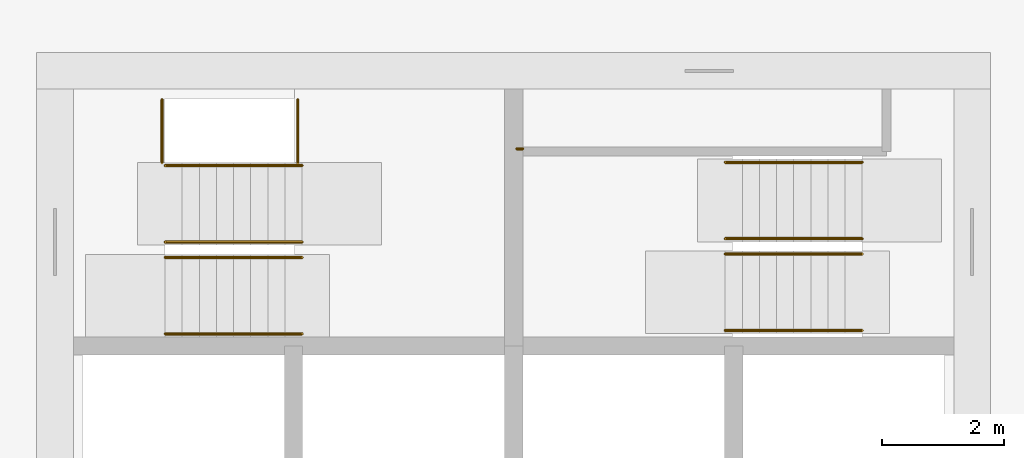
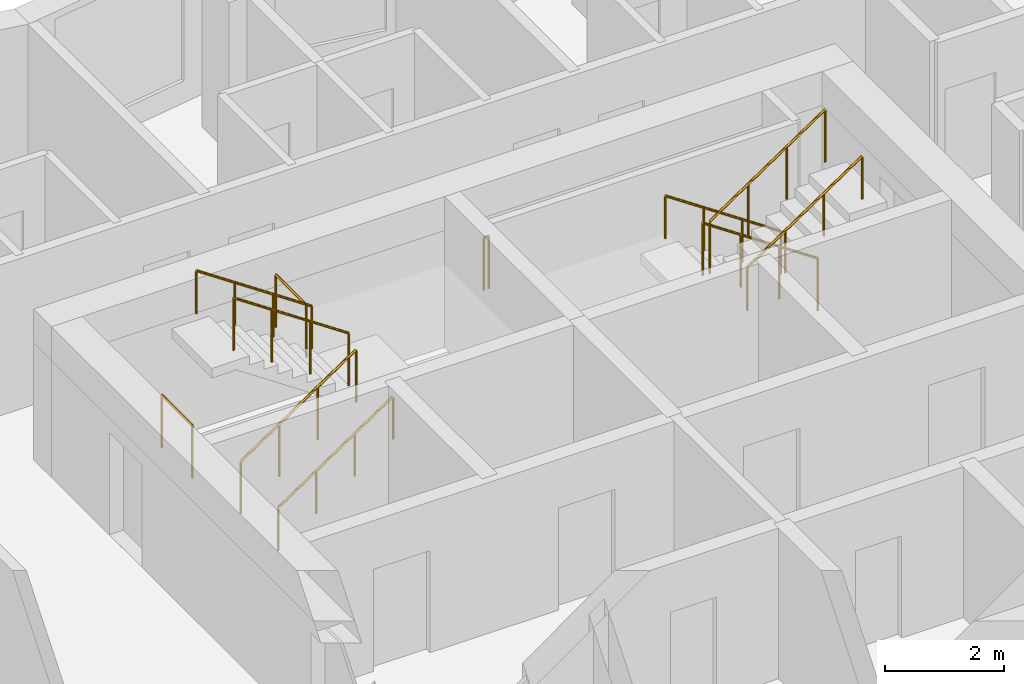
# One storey, part 11 of 12: 11 railings.
"""IFC4 building model written with IfcOpenShell, lengths in metres."""

from ifc_helpers import new_model, si_unit, direction, frame, origin, origin_2d, place, context, subcontext, project, spatial, circle, extrude, material, type_object, element, save


model = new_model("IFC4")

# Units and contexts
model_context = context("Model", 3, precision=1e-05, world=origin(), true_north=direction((0.0, 1.0)))
body_context = subcontext(model_context, "Body", "Model", "MODEL_VIEW")
ifc_project = project(units=[si_unit("LENGTHUNIT", "METRE"), si_unit("AREAUNIT", "SQUARE_METRE"), si_unit("VOLUMEUNIT", "CUBIC_METRE"), si_unit("PLANEANGLEUNIT", "RADIAN"), si_unit("MASSUNIT", "GRAM", prefix="KILO")], contexts=[model_context])

# Site, building, storey
site_placement = place(None, origin())
site = spatial("IfcSite", under=ifc_project, at=site_placement, CompositionType="ELEMENT")
building_placement = place(site_placement, origin())
building = spatial("IfcBuilding", under=site, at=building_placement, Name="Windrow Commons", CompositionType="ELEMENT")
storey_placement = place(building_placement, frame((0.0, 0.0, 169.4)))
storey = spatial("IfcBuildingStorey", under=building, at=storey_placement, Name="L46", CompositionType="ELEMENT", Elevation=169.4)

# Railings
ifc_material_1 = material(Name="Steel S355", Category="steel")
railing_type_1 = type_object("IfcRailingType", Name="Core stair guard 1100", PredefinedType="GUARDRAIL", material=ifc_material_1)
railing_1_placement = place(storey_placement, frame((59.1, 62.05, 0.1889)))
element("IfcRailing", 1, at=railing_1_placement, inside=storey, type_object=railing_type_1, Name="L46 ST-A1 stair guard 1", PredefinedType="GUARDRAIL", context=body_context, shape_type="SweptSolid", body=[
    extrude(circle(Radius=0.024, at=origin_2d()), frame((0.0, 0.0, 1.076), z_axis=(0.8290030985, 0.0, 0.5592440099), x_axis=(0.0, 1.0, 0.0)), (0.0, 0.0, 1.0), 2.702),
    extrude(circle(Radius=0.021, at=origin_2d()), origin(), (0.0, 0.0, 1.0), 1.052),
    extrude(circle(Radius=0.021, at=origin_2d()), frame((0.7467, 0.0, 0.5037)), (0.0, 0.0, 1.0), 1.052),
    extrude(circle(Radius=0.021, at=origin_2d()), frame((1.4933, 0.0, 1.0074)), (0.0, 0.0, 1.0), 1.052),
    extrude(circle(Radius=0.021, at=origin_2d()), frame((2.24, 0.0, 1.5111)), (0.0, 0.0, 1.0), 1.052),
])
railing_2_placement = place(storey_placement, frame((61.34, 62.3, 1.8889)))
element("IfcRailing", 2, at=railing_2_placement, inside=storey, type_object=railing_type_1, Name="L46 ST-A1 stair guard 2", PredefinedType="GUARDRAIL", context=body_context, shape_type="SweptSolid", body=[
    extrude(circle(Radius=0.024, at=origin_2d()), frame((0.0, 0.0, 1.076), z_axis=(-0.8290030985, 0.0, 0.5592440099), x_axis=(0.0, -1.0, 0.0)), (0.0, 0.0, 1.0), 2.702),
    extrude(circle(Radius=0.021, at=origin_2d()), origin(), (0.0, 0.0, 1.0), 1.052),
    extrude(circle(Radius=0.021, at=origin_2d()), frame((-0.7467, 0.0, 0.5037)), (0.0, 0.0, 1.0), 1.052),
    extrude(circle(Radius=0.021, at=origin_2d()), frame((-1.4933, 0.0, 1.0074)), (0.0, 0.0, 1.0), 1.052),
    extrude(circle(Radius=0.021, at=origin_2d()), frame((-2.24, 0.0, 1.5111)), (0.0, 0.0, 1.0), 1.052),
])
for number, where, name in (
    (3, (59.05, 63.6, 0.0), "L46 ST-A1 stair guard 3"),
    (4, (61.27, 63.6, 1.7), "L46 ST-A1 stair guard 4"),
):
    element("IfcRailing", number, at=place(storey_placement, frame(where)), inside=storey, type_object=railing_type_1, Name=name, PredefinedType="GUARDRAIL", context=body_context, shape_type="SweptSolid", body=[
        extrude(circle(Radius=0.024, at=origin_2d()), frame((0.0, 0.0, 1.076), z_axis=(0.0, 1.0, 0.0), x_axis=(-1.0, 0.0, 0.0)), (0.0, 0.0, 1.0), 1.03),
        extrude(circle(Radius=0.021, at=origin_2d()), origin(), (0.0, 0.0, 1.0), 1.052),
        extrude(circle(Radius=0.021, at=origin_2d()), frame((0.0, 1.03, 0.0)), (0.0, 0.0, 1.0), 1.052),
    ])
railing_3_placement = place(storey_placement, frame((70.5, 62.355, 0.1889)))
element("IfcRailing", 5, at=railing_3_placement, inside=storey, type_object=railing_type_1, Name="L46 ST-A2 stair guard 1", PredefinedType="GUARDRAIL", context=body_context, shape_type="SweptSolid", body=[
    extrude(circle(Radius=0.024, at=origin_2d()), frame((0.0, 0.0, 1.076), z_axis=(-0.8290030985, 0.0, 0.5592440099), x_axis=(0.0, -1.0, 0.0)), (0.0, 0.0, 1.0), 2.702),
    extrude(circle(Radius=0.021, at=origin_2d()), origin(), (0.0, 0.0, 1.0), 1.052),
    extrude(circle(Radius=0.021, at=origin_2d()), frame((-0.7467, 0.0, 0.5037)), (0.0, 0.0, 1.0), 1.052),
    extrude(circle(Radius=0.021, at=origin_2d()), frame((-1.4933, 0.0, 1.0074)), (0.0, 0.0, 1.0), 1.052),
    extrude(circle(Radius=0.021, at=origin_2d()), frame((-2.24, 0.0, 1.5111)), (0.0, 0.0, 1.0), 1.052),
])
railing_4_placement = place(storey_placement, frame((68.26, 62.105, 1.8889)))
element("IfcRailing", 6, at=railing_4_placement, inside=storey, type_object=railing_type_1, Name="L46 ST-A2 stair guard 2", PredefinedType="GUARDRAIL", context=body_context, shape_type="SweptSolid", body=[
    extrude(circle(Radius=0.024, at=origin_2d()), frame((0.0, 0.0, 1.076), z_axis=(0.8290030985, 0.0, 0.5592440099), x_axis=(0.0, 1.0, 0.0)), (0.0, 0.0, 1.0), 2.702),
    extrude(circle(Radius=0.021, at=origin_2d()), origin(), (0.0, 0.0, 1.0), 1.052),
    extrude(circle(Radius=0.021, at=origin_2d()), frame((0.7467, 0.0, 0.5037)), (0.0, 0.0, 1.0), 1.052),
    extrude(circle(Radius=0.021, at=origin_2d()), frame((1.4933, 0.0, 1.0074)), (0.0, 0.0, 1.0), 1.052),
    extrude(circle(Radius=0.021, at=origin_2d()), frame((2.24, 0.0, 1.5111)), (0.0, 0.0, 1.0), 1.052),
])
railing_5_placement = place(storey_placement, frame((64.95, 63.825, 1.7)))
element("IfcRailing", 7, at=railing_5_placement, inside=storey, type_object=railing_type_1, Name="L46 ST-A2 stair guard 3", PredefinedType="GUARDRAIL", context=body_context, shape_type="SweptSolid", body=[
    extrude(circle(Radius=0.024, at=origin_2d()), frame((0.0, 0.0, 1.076), z_axis=(-1.0, 0.0, 0.0), x_axis=(0.0, -1.0, 0.0)), (0.0, 0.0, 1.0), 0.1),
    extrude(circle(Radius=0.021, at=origin_2d()), origin(), (0.0, 0.0, 1.0), 1.052),
    extrude(circle(Radius=0.021, at=origin_2d()), frame((-0.1, 0.0, 0.0)), (0.0, 0.0, 1.0), 1.052),
])
ifc_material_2 = material(Name="Steel S355", Category="steel")
railing_type_2 = type_object("IfcRailingType", Name="Core stair handrail 900", PredefinedType="HANDRAIL", material=ifc_material_2)
railing_6_placement = place(storey_placement, frame((59.1, 60.8, 0.1889)))
element("IfcRailing", 8, at=railing_6_placement, inside=storey, type_object=railing_type_2, Name="L46 ST-A1 stair handrail 1", PredefinedType="HANDRAIL", context=body_context, shape_type="SweptSolid", body=[
    extrude(circle(Radius=0.024, at=origin_2d()), frame((0.0, 0.0, 0.876), z_axis=(0.8290030985, 0.0, 0.5592440099), x_axis=(0.0, 1.0, 0.0)), (0.0, 0.0, 1.0), 2.702),
    extrude(circle(Radius=0.021, at=origin_2d()), origin(), (0.0, 0.0, 1.0), 0.852),
    extrude(circle(Radius=0.021, at=origin_2d()), frame((0.7467, 0.0, 0.5037)), (0.0, 0.0, 1.0), 0.852),
    extrude(circle(Radius=0.021, at=origin_2d()), frame((1.4933, 0.0, 1.0074)), (0.0, 0.0, 1.0), 0.852),
    extrude(circle(Radius=0.021, at=origin_2d()), frame((2.24, 0.0, 1.5111)), (0.0, 0.0, 1.0), 0.852),
])
for number, where, name in (
    (9, (61.34, 63.55, 1.8889), "L46 ST-A1 stair handrail 2"),
    (10, (70.5, 63.605, 0.1889), "L46 ST-A2 stair handrail 1"),
):
    element("IfcRailing", number, at=place(storey_placement, frame(where)), inside=storey, type_object=railing_type_2, Name=name, PredefinedType="HANDRAIL", context=body_context, shape_type="SweptSolid", body=[
        extrude(circle(Radius=0.024, at=origin_2d()), frame((0.0, 0.0, 0.876), z_axis=(-0.8290030985, 0.0, 0.5592440099), x_axis=(0.0, -1.0, 0.0)), (0.0, 0.0, 1.0), 2.702),
        extrude(circle(Radius=0.021, at=origin_2d()), origin(), (0.0, 0.0, 1.0), 0.852),
        extrude(circle(Radius=0.021, at=origin_2d()), frame((-0.7467, 0.0, 0.5037)), (0.0, 0.0, 1.0), 0.852),
        extrude(circle(Radius=0.021, at=origin_2d()), frame((-1.4933, 0.0, 1.0074)), (0.0, 0.0, 1.0), 0.852),
        extrude(circle(Radius=0.021, at=origin_2d()), frame((-2.24, 0.0, 1.5111)), (0.0, 0.0, 1.0), 0.852),
    ])
railing_7_placement = place(storey_placement, frame((68.26, 60.855, 1.8889)))
element("IfcRailing", 11, at=railing_7_placement, inside=storey, type_object=railing_type_2, Name="L46 ST-A2 stair handrail 2", PredefinedType="HANDRAIL", context=body_context, shape_type="SweptSolid", body=[
    extrude(circle(Radius=0.024, at=origin_2d()), frame((0.0, 0.0, 0.876), z_axis=(0.8290030985, 0.0, 0.5592440099), x_axis=(0.0, 1.0, 0.0)), (0.0, 0.0, 1.0), 2.702),
    extrude(circle(Radius=0.021, at=origin_2d()), origin(), (0.0, 0.0, 1.0), 0.852),
    extrude(circle(Radius=0.021, at=origin_2d()), frame((0.7467, 0.0, 0.5037)), (0.0, 0.0, 1.0), 0.852),
    extrude(circle(Radius=0.021, at=origin_2d()), frame((1.4933, 0.0, 1.0074)), (0.0, 0.0, 1.0), 0.852),
    extrude(circle(Radius=0.021, at=origin_2d()), frame((2.24, 0.0, 1.5111)), (0.0, 0.0, 1.0), 0.852),
])

save(model, "model.ifc")
